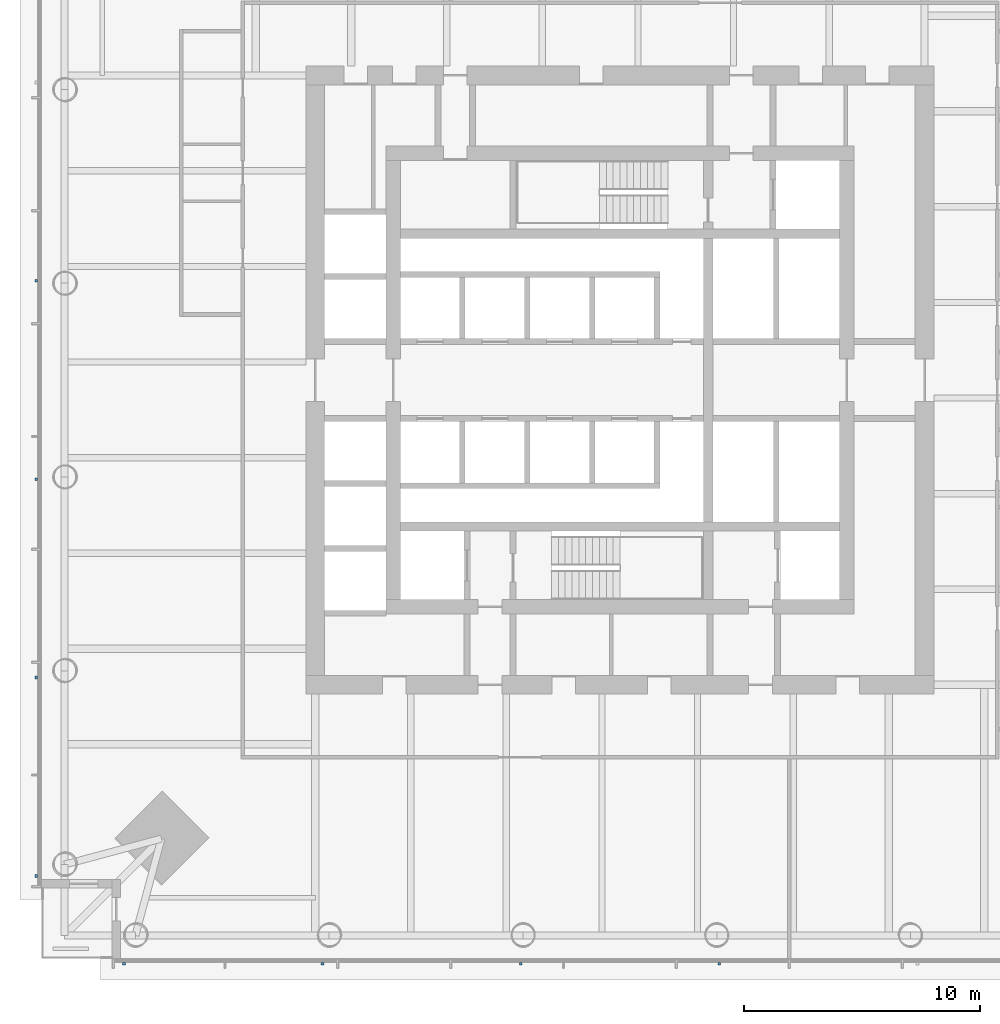
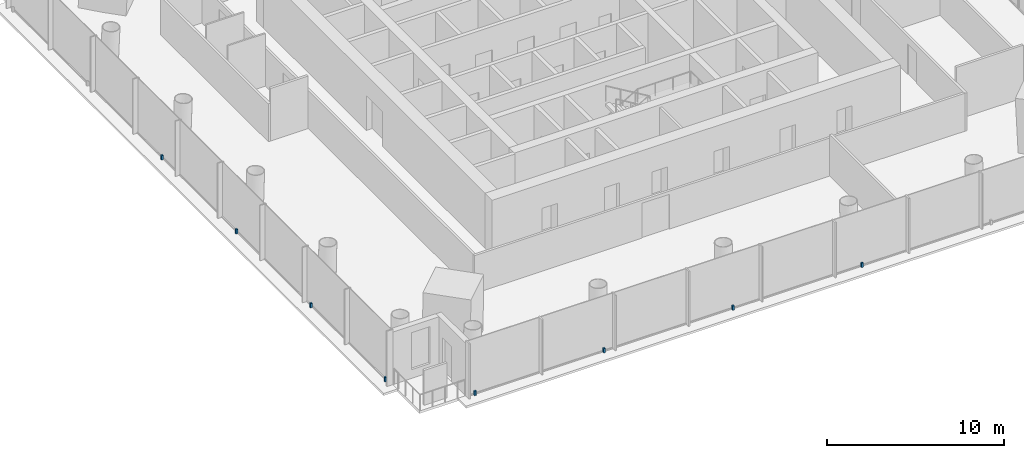
# One storey, part 18 of 26: 8 discrete accessories.
"""IFC4 building model written with IfcOpenShell, lengths in metres."""

from ifc_helpers import new_model, si_unit, direction, frame, origin, origin_2d, place, context, subcontext, project, spatial, rectangle, extrude, material, type_object, element, save


model = new_model("IFC4")

# Units and contexts
model_context = context("Model", 3, precision=1e-05, world=origin(), true_north=direction((0.0, 1.0)))
body_context = subcontext(model_context, "Body", "Model", "MODEL_VIEW")
ifc_project = project(units=[si_unit("LENGTHUNIT", "METRE"), si_unit("AREAUNIT", "SQUARE_METRE"), si_unit("VOLUMEUNIT", "CUBIC_METRE"), si_unit("PLANEANGLEUNIT", "RADIAN"), si_unit("MASSUNIT", "GRAM", prefix="KILO")], contexts=[model_context])

# Site, building, storey
site_placement = place(None, origin())
site = spatial("IfcSite", under=ifc_project, at=site_placement, CompositionType="ELEMENT")
building_placement = place(site_placement, origin())
building = spatial("IfcBuilding", under=site, at=building_placement, Name="Ostroluk Exchange", CompositionType="ELEMENT")
storey_placement = place(building_placement, frame((0.0, 0.0, 36.199951171875)))
storey = spatial("IfcBuildingStorey", under=building, at=storey_placement, Name="L08", CompositionType="ELEMENT", Elevation=36.199951171875)

# Discrete accessories
ifc_material = material(Name="Stainless steel", Category="steel")
discrete_accessory_type = type_object("IfcDiscreteAccessoryType", Name="Fall-arrest anchor PN-EN 795 type C", PredefinedType="USERDEFINED", material=ifc_material)
for number, where, z_axis, x_axis, name in (
    (1, (24.0, 21.2900390625, 0.0), (0.0, 0.0, 1.0), (1.0, 0.0, 0.0), "Fall-arrest anchor L08 south 1"),
    (2, (32.39990234375, 21.2900390625, 0.0), (0.0, 0.0, 1.0), (1.0, 0.0, 0.0), "Fall-arrest anchor L08 south 2"),
    (3, (40.800048828125, 21.2900390625, 0.0), (0.0, 0.0, 1.0), (1.0, 0.0, 0.0), "Fall-arrest anchor L08 south 3"),
    (4, (49.199951171875, 21.2900390625, 0.0), (0.0, 0.0, 1.0), (1.0, 0.0, 0.0), "Fall-arrest anchor L08 south 4"),
    (5, (20.2900390625, 25.0, 0.0), (0.0, 0.0, 1.0), (1.0, 0.0, 0.0), "Fall-arrest anchor L08 west 1"),
    (6, (20.2900390625, 33.39990234375, 0.0), (0.0, 0.0, 1.0), (1.0, 0.0, 0.0), "Fall-arrest anchor L08 west 2"),
    (7, (20.2900390625, 41.800048828125, 0.0), (0.0, 0.0, 1.0), (1.0, 0.0, 0.0), "Fall-arrest anchor L08 west 3"),
    (8, (20.2900390625, 50.199951171875, 0.0), (0.0, 0.0, 1.0), (1.0, 0.0, 0.0), "Fall-arrest anchor L08 west 4"),
):
    element("IfcDiscreteAccessory", number, at=place(storey_placement, frame(where, z_axis=z_axis, x_axis=x_axis)), inside=storey, type_object=discrete_accessory_type, Name=name, ObjectType="FALL ARREST ANCHOR", PredefinedType="USERDEFINED", context=body_context, shape_type="SweptSolid", body=[
        extrude(rectangle(XDim=0.1201171875, YDim=0.1201171875, at=origin_2d()), origin(), (0.0, 0.0, 1.0), 0.300048828125),
    ])

save(model, "model.ifc")
